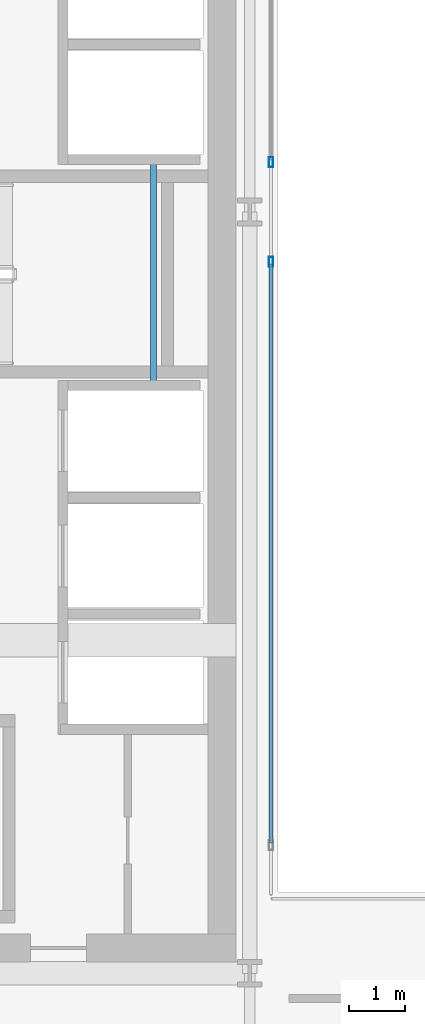
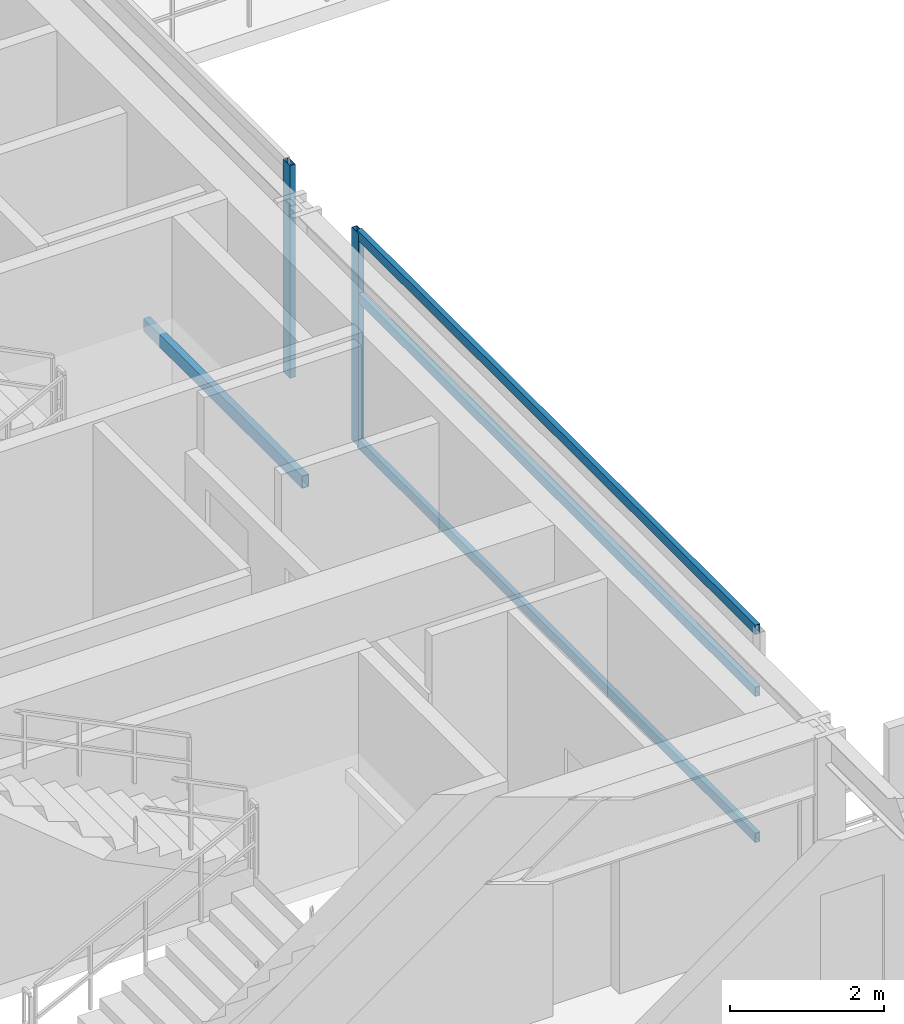
# One storey, part 9 of 37: 5 members, 1 beam, 2 elements without a shape of their own.
"""IFC4 building model written with IfcOpenShell, lengths in metres."""

from ifc_helpers import new_model, si_unit, direction, frame, origin, origin_2d, place, context, subcontext, project, spatial, hollow_rectangle, extrude, source, transform, mapped, material, layer, layer_set, material_profile, profile_set, type_object, element, aggregate, save


model = new_model("IFC4")

# Units and contexts
model_context = context("Model", 3, precision=1e-05, world=origin(), true_north=direction((0.0, 1.0)))
body_context = subcontext(model_context, "Body", "Model", "MODEL_VIEW")
ifc_project = project(units=[si_unit("LENGTHUNIT", "METRE"), si_unit("AREAUNIT", "SQUARE_METRE"), si_unit("VOLUMEUNIT", "CUBIC_METRE"), si_unit("PLANEANGLEUNIT", "RADIAN"), si_unit("MASSUNIT", "GRAM", prefix="KILO")], contexts=[model_context])

# Site, building, storey
site_placement = place(None, origin())
site = spatial("IfcSite", under=ifc_project, at=site_placement, CompositionType="ELEMENT")
building_placement = place(site_placement, origin())
building = spatial("IfcBuilding", under=site, at=building_placement, Name="Ocotamira Hotel", CompositionType="ELEMENT")
storey_placement = place(building_placement, frame((0.0, 0.0, 192.0)))
storey = spatial("IfcBuildingStorey", under=building, at=storey_placement, Name="L48", CompositionType="ELEMENT", Elevation=192.0)

# Beam
ifc_material_1 = material(Name="Steel ASTM A500 Grade C", Category="steel")
ifc_material_profile_1 = material_profile(ifc_material_1, hollow_rectangle(XDim=0.10009765625, YDim=0.199951171875, WallThickness=0.008056640625, at=origin_2d()), Name="HSS200X100X8")
ifc_profile_set_1 = profile_set([ifc_material_profile_1], Name="Steel ASTM A500 Grade C")
beam_type = type_object("IfcBeamType", Name="BM-STLDG-HSS200", PredefinedType="BEAM", material=ifc_profile_set_1)
shared_shape_1 = source(origin(), body_context, "Body", "SweptSolid", [
    extrude(hollow_rectangle(XDim=0.10009765625, YDim=0.199951171875, WallThickness=0.008056640625, at=origin_2d()), origin(), (0.0, 0.0, 1.0), 4.1201171875),
])
beam_placement = place(storey_placement, frame((21.780029296875, 24.97998046875, 1.5), z_axis=(0.0, 1.0, 0.0), x_axis=(-1.0, 0.0, 0.0)))
element("IfcBeam", 1, at=beam_placement, inside=storey, type_object=beam_type, Name="L48 Stair ST-3 Landing Bearer 1", PredefinedType="BEAM", context=body_context, shape_type="MappedRepresentation", body=[
    mapped(shared_shape_1, transform((0.0, 0.0, 0.0), scale=1.0)),
])

# Curtain wall, member
ifc_material_2 = material(Name="Anodised pale-metal aluminium and solar glass", Category="aluminium")
ifc_layer = layer(ifc_material_2, 0.159912109375)
ifc_layer_set = layer_set([ifc_layer], Name="Anodised pale-metal aluminium and solar glass")
curtain_wall_type = type_object("IfcCurtainWallType", Name="CW-SYS6-ATR", PredefinedType="NOTDEFINED", material=ifc_layer_set)
curtain_wall_1_placement = place(storey_placement, origin())
curtain_wall_1 = element("IfcCurtainWall", 2, at=curtain_wall_1_placement, inside=storey, type_object=curtain_wall_type, Name="L48 Curtain Wall CW-6 CW-L48-ATRW1", PredefinedType="NOTDEFINED")
ifc_material_3 = material(Name="Anodised pale-metal aluminium 6063-T6", Category="aluminium")
ifc_material_profile_2 = material_profile(ifc_material_3, hollow_rectangle(XDim=0.080078125, YDim=0.179931640625, WallThickness=0.006103515625, at=origin_2d()), Name="HSS180X80X6")
ifc_profile_set_2 = profile_set([ifc_material_profile_2], Name="Anodised pale-metal aluminium 6063-T6")
member_type_1 = type_object("IfcMemberType", Name="CWM-180X75", PredefinedType="MULLION", material=ifc_profile_set_2)
shared_shape_2 = source(origin(), body_context, "Body", "SweptSolid", [
    extrude(hollow_rectangle(XDim=0.080078125, YDim=0.179931640625, WallThickness=0.006103515625, at=origin_2d()), origin(), (0.0, 0.0, 1.0), 3.3701171875),
])
member_1_placement = place(storey_placement, frame((23.8798828125, 27.260009765625, 0.0), z_axis=(0.0, 0.0, 1.0), x_axis=(-1.0, 0.0, 0.0)))
member_1 = element("IfcMember", 3, at=member_1_placement, type_object=member_type_1, Name="CW-6 mullion 2", PredefinedType="MULLION", context=body_context, shape_type="MappedRepresentation", body=[
    mapped(shared_shape_2, transform((0.0, 0.0, 0.0), scale=1.0)),
])

curtain_wall_2_placement = place(storey_placement, origin())
curtain_wall_2 = element("IfcCurtainWall", 4, at=curtain_wall_2_placement, inside=storey, type_object=curtain_wall_type, Name="L48 Curtain Wall CW-6 CW-L48-ATRW2", PredefinedType="NOTDEFINED")
member_2_placement = place(storey_placement, frame((23.8798828125, 29.0400390625, 0.0), z_axis=(0.0, 0.0, 1.0), x_axis=(-1.0, 0.0, 0.0)))
member_2 = element("IfcMember", 5, at=member_2_placement, type_object=member_type_1, Name="CW-6 mullion 1", PredefinedType="MULLION", context=body_context, shape_type="MappedRepresentation", body=[
    mapped(shared_shape_2, transform((0.0, 0.0, 0.0), scale=1.0)),
])
aggregate(curtain_wall_2, [member_2])

# Member
ifc_material_profile_3 = material_profile(ifc_material_3, hollow_rectangle(XDim=0.074951171875, YDim=0.14990234375, WallThickness=0.006103515625, at=origin_2d()), Name="HSS150X75X6")
ifc_profile_set_3 = profile_set([ifc_material_profile_3], Name="Anodised pale-metal aluminium 6063-T6")
member_type_2 = type_object("IfcMemberType", Name="CWT-150X75", PredefinedType="USERDEFINED", material=ifc_profile_set_3)
shared_shape_3 = source(origin(), body_context, "Body", "SweptSolid", [
    extrude(hollow_rectangle(XDim=0.074951171875, YDim=0.14990234375, WallThickness=0.006103515625, at=origin_2d()), origin(), (0.0, 0.0, 1.0), 10.340087890625),
])
member_3_placement = place(storey_placement, frame((23.8798828125, 16.8798828125, 0.03759765625), z_axis=(0.0, 1.0, 0.0), x_axis=(-1.0, 0.0, 0.0)))
member_3 = element("IfcMember", 6, at=member_3_placement, type_object=member_type_2, Name="CW-6 transom 1.1", ObjectType="TRANSOM", PredefinedType="USERDEFINED", context=body_context, shape_type="MappedRepresentation", body=[
    mapped(shared_shape_3, transform((0.0, 0.0, 0.0), scale=1.0)),
])

member_4_placement = place(storey_placement, frame((23.8798828125, 16.8798828125, 2.35009765625), z_axis=(0.0, 1.0, 0.0), x_axis=(-1.0, 0.0, 0.0)))
member_4 = element("IfcMember", 7, at=member_4_placement, type_object=member_type_2, Name="CW-6 transom 1.2", ObjectType="TRANSOM", PredefinedType="USERDEFINED", context=body_context, shape_type="MappedRepresentation", body=[
    mapped(shared_shape_3, transform((0.0, 0.0, 0.0), scale=1.0)),
])

member_5_placement = place(storey_placement, frame((23.8798828125, 16.8798828125, 3.33251953125), z_axis=(0.0, 1.0, 0.0), x_axis=(-1.0, 0.0, 0.0)))
member_5 = element("IfcMember", 8, at=member_5_placement, type_object=member_type_2, Name="CW-6 transom 1.3", ObjectType="TRANSOM", PredefinedType="USERDEFINED", context=body_context, shape_type="MappedRepresentation", body=[
    mapped(shared_shape_3, transform((0.0, 0.0, 0.0), scale=1.0)),
])

aggregate(curtain_wall_1, [member_1, member_3, member_4, member_5])

save(model, "model.ifc")
